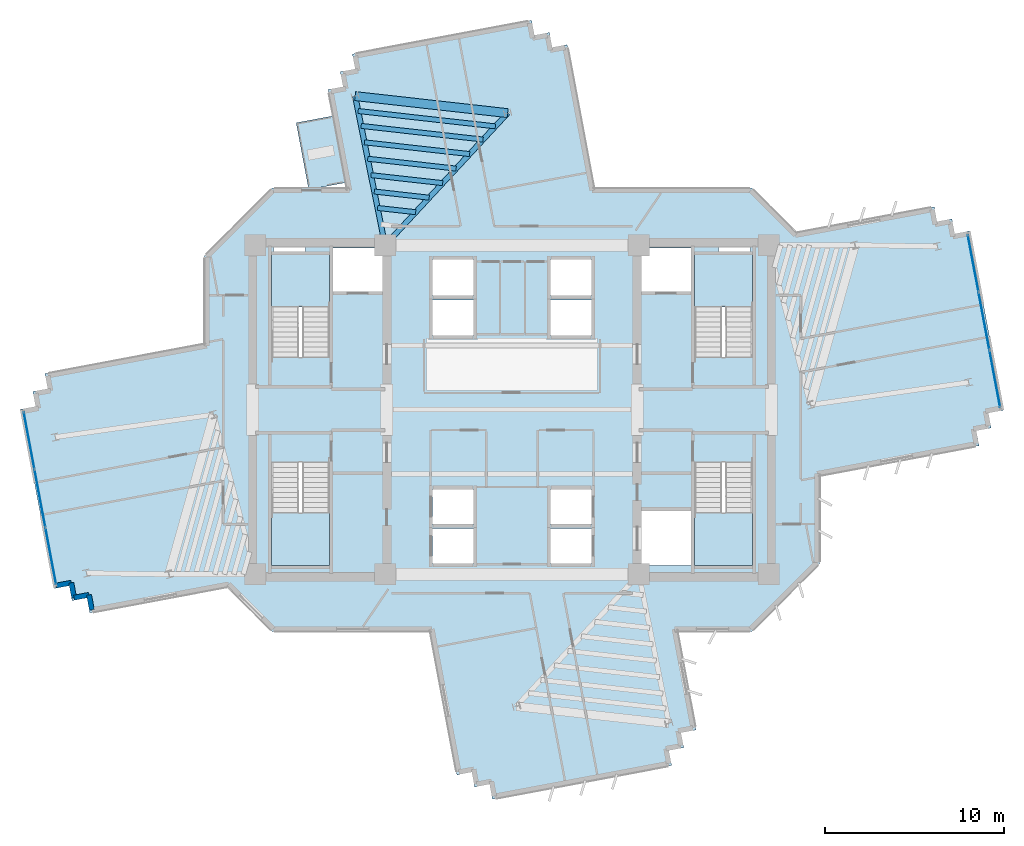
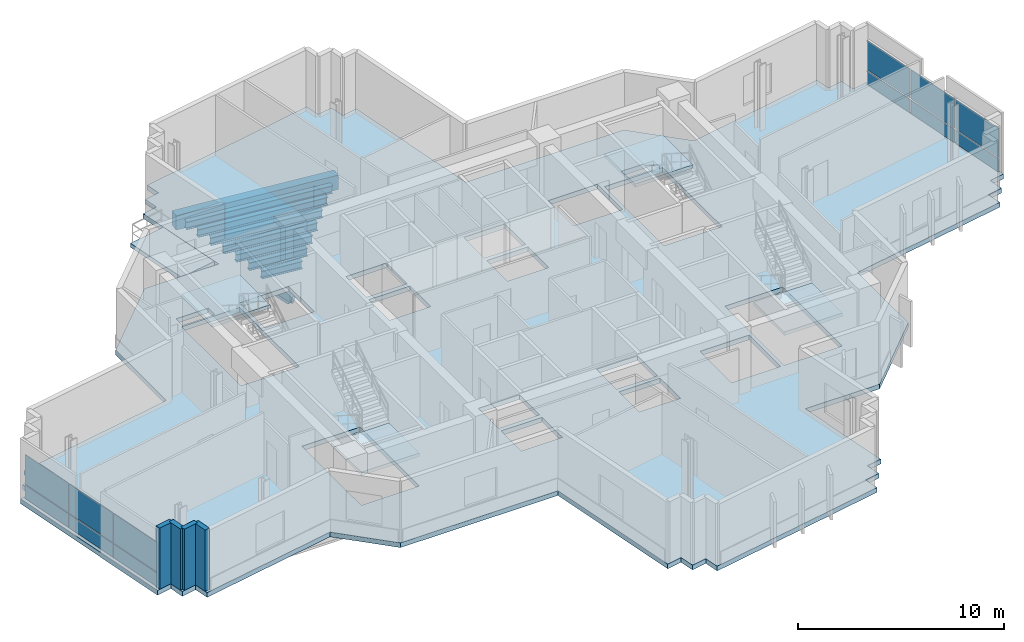
# One storey, part 7 of 16: 12 plates, 10 beams, 6 slabs, 4 walls, 6 elements without a shape of their own.
"""IFC4 building model written with IfcOpenShell, lengths in metres."""

import ifcopenshell
import ifcopenshell.guid

model = None  # the IFC model being written
_history = None  # IfcOwnerHistory: only IFC2X3 demands one
_inside = {}  # id of a spatial element -> (the spatial element, [elements in it])
_under = {}  # id of a project, library or spatial element -> (it, [spatial elements below it])
_declared = {}  # id of a project -> (the project, [libraries it declares])
_typed = {}  # id of a type object -> (the type object, [elements of that type])
_made_of = {}  # id of a material, layer set ... -> (it, [elements and type objects made of it])


def new_model(schema):
    """Start an empty IFC model of exactly this schema.

    Asked for "IFC4X3", IfcOpenShell would pick the latest addendum, in which some entities
    have other attributes; the version numbers below select the first issue.
    IFC2X3 requires an IfcOwnerHistory on every rooted entity: one is made here for all.
    """
    global model, _history
    if schema == "IFC4X3":
        model = ifcopenshell.file(schema_version=(4, 3, 0, 0))
    else:
        model = ifcopenshell.file(schema=schema)
    _inside.clear()
    _under.clear()
    _declared.clear()
    _typed.clear()
    _made_of.clear()
    _history = None
    if model.schema == "IFC2X3":
        org = make("IfcOrganization", Name="unknown")
        user = make(
            "IfcPersonAndOrganization",
            ThePerson=make("IfcPerson", FamilyName="unknown"),
            TheOrganization=org,
        )
        app = make(
            "IfcApplication",
            ApplicationDeveloper=org,
            Version="unknown",
            ApplicationFullName="unknown",
            ApplicationIdentifier="unknown",
        )
        _history = make(
            "IfcOwnerHistory",
            OwningUser=user,
            OwningApplication=app,
            ChangeAction="ADDED",
            CreationDate=0,
        )
    return model


def make(cls, **values):
    """One entity of the class cls with the attributes given. An attribute that is None is left unset."""
    return model.create_entity(
        cls, **{name: value for name, value in values.items() if value is not None}
    )


def rooted(cls, **values):
    """An entity with a GlobalId (a new one), such as an element, a storey or a relation."""
    return make(cls, GlobalId=ifcopenshell.guid.new(), OwnerHistory=_history, **values)


def si_unit(unit_type, name, prefix=None):
    """IfcSIUnit, for example si_unit("LENGTHUNIT", "METRE", prefix="MILLI")."""
    return make("IfcSIUnit", UnitType=unit_type, Prefix=prefix, Name=name)


def assignment(units):
    """IfcUnitAssignment: the units of a project."""
    return None if units is None else make("IfcUnitAssignment", Units=units)


def point(xyz):
    """IfcCartesianPoint."""
    return None if xyz is None else make("IfcCartesianPoint", Coordinates=xyz)


def direction(xyz):
    """IfcDirection."""
    return None if xyz is None else make("IfcDirection", DirectionRatios=xyz)


def frame(location, z_axis=None, x_axis=None):
    """IfcAxis2Placement3D, a coordinate frame: its origin and axes. An axis left out is left unset."""
    return make(
        "IfcAxis2Placement3D",
        Location=point(location),
        Axis=direction(z_axis),
        RefDirection=direction(x_axis),
    )


def frame_2d(location, x_axis=None):
    """IfcAxis2Placement2D, a coordinate frame in the plane: its origin and x axis."""
    return make(
        "IfcAxis2Placement2D", Location=point(location), RefDirection=direction(x_axis)
    )


def origin():
    """The frame at (0, 0, 0) with its axes left unset."""
    return frame((0.0, 0.0, 0.0))


def origin_2d():
    """The frame at (0, 0) in the plane with its x axis left unset."""
    return frame_2d((0.0, 0.0))


def place(relative_to, where):
    """IfcLocalPlacement: puts the frame where relative to a parent placement (None: the world)."""
    return make(
        "IfcLocalPlacement", PlacementRelTo=relative_to, RelativePlacement=where
    )


def context(
    kind, dimensions, precision=None, world=None, true_north=None, identifier=None
):
    """IfcGeometricRepresentationContext, for example the 3D "Model" context."""
    return make(
        "IfcGeometricRepresentationContext",
        ContextIdentifier=identifier,
        ContextType=kind,
        CoordinateSpaceDimension=dimensions,
        Precision=precision,
        WorldCoordinateSystem=world,
        TrueNorth=true_north,
    )


def subcontext(parent, identifier, kind, view, scale=None):
    """IfcGeometricRepresentationSubContext, for example "Body" below "Model"."""
    return make(
        "IfcGeometricRepresentationSubContext",
        ContextIdentifier=identifier,
        ContextType=kind,
        ParentContext=parent,
        TargetScale=scale,
        TargetView=view,
    )


def project(units=None, contexts=None):
    """IfcProject with its units and contexts."""
    return rooted(
        "IfcProject",
        Name="project",
        RepresentationContexts=contexts,
        UnitsInContext=assignment(units),
    )


def spatial(cls, under=None, at=None, **own):
    """A site, building, storey or space (cls), placed at a placement, below another one or the project."""
    s = rooted(cls, ObjectPlacement=at, **own)
    if under is not None:
        _under.setdefault(under.id(), (under, []))[1].append(s)
    return s


def polyline(points):
    """IfcPolyline through the points."""
    return make("IfcPolyline", Points=[point(p) for p in points])


def profile(cls, at=None, kind="AREA", **sizes):
    """A parametric profile (cls). Its sizes go by their IFC names, for example OverallWidth=200.0."""
    return make(cls, ProfileType=kind, Position=at, **sizes)


def rectangle(**sizes):
    """IfcRectangleProfileDef."""
    return profile("IfcRectangleProfileDef", **sizes)


def i_section(**sizes):
    """IfcIShapeProfileDef."""
    return profile("IfcIShapeProfileDef", **sizes)


def outline(outer, holes=None, kind="AREA"):
    """IfcArbitraryClosedProfileDef: a profile drawn as a closed curve; with holes, ...WithVoids."""
    if holes is None:
        return make("IfcArbitraryClosedProfileDef", ProfileType=kind, OuterCurve=outer)
    return make(
        "IfcArbitraryProfileDefWithVoids",
        ProfileType=kind,
        OuterCurve=outer,
        InnerCurves=holes,
    )


def extrude(swept, where, along, depth):
    """IfcExtrudedAreaSolid: the profile swept, set in the frame where, extruded along a direction by depth."""
    return make(
        "IfcExtrudedAreaSolid",
        SweptArea=swept,
        Position=where,
        ExtrudedDirection=direction(along),
        Depth=depth,
    )


def shape(context_of_items, identifier, shape_type, items):
    """IfcShapeRepresentation: the items that make up one representation, for example the "Body"."""
    return make(
        "IfcShapeRepresentation",
        ContextOfItems=context_of_items,
        RepresentationIdentifier=identifier,
        RepresentationType=shape_type,
        Items=items,
    )


def source(mapping_origin, context_of_items, identifier, shape_type, items):
    """IfcRepresentationMap: a shape defined once, which mapped items show again and again."""
    return make(
        "IfcRepresentationMap",
        MappingOrigin=mapping_origin,
        MappedRepresentation=shape(context_of_items, identifier, shape_type, items),
    )


def transform(
    local_origin,
    x_axis=None,
    y_axis=None,
    z_axis=None,
    scale=None,
    scale2=None,
    scale3=None,
    uniform=True,
):
    """IfcCartesianTransformationOperator3D, or its non-uniform kind. x_axis, y_axis, z_axis: its Axis1, 2, 3."""
    if uniform:
        return make(
            "IfcCartesianTransformationOperator3D",
            Axis1=direction(x_axis),
            Axis2=direction(y_axis),
            LocalOrigin=point(local_origin),
            Scale=scale,
            Axis3=direction(z_axis),
        )
    return make(
        "IfcCartesianTransformationOperator3DnonUniform",
        Axis1=direction(x_axis),
        Axis2=direction(y_axis),
        LocalOrigin=point(local_origin),
        Scale=scale,
        Axis3=direction(z_axis),
        Scale2=scale2,
        Scale3=scale3,
    )


def mapped(mapping_source, mapping_target):
    """IfcMappedItem: shows the shape of a source again, moved by a transform."""
    return make(
        "IfcMappedItem", MappingSource=mapping_source, MappingTarget=mapping_target
    )


def material(Name=None, Category=None):
    """IfcMaterial."""
    return make("IfcMaterial", Name=Name, Category=Category)


def layer(
    of_material, thickness, ventilated=None, Name=None, Category=None, Priority=None
):
    """IfcMaterialLayer: one layer of a wall or slab, of a material (None: an air gap)."""
    return make(
        "IfcMaterialLayer",
        Material=of_material,
        LayerThickness=thickness,
        IsVentilated=ventilated,
        Name=Name,
        Category=Category,
        Priority=Priority,
    )


def layer_set(layers, Name=None):
    """IfcMaterialLayerSet."""
    return make("IfcMaterialLayerSet", MaterialLayers=layers, LayerSetName=Name)


def material_profile(
    of_material, cross_section, Name=None, Category=None, Priority=None
):
    """IfcMaterialProfile: a cross section and its material."""
    return make(
        "IfcMaterialProfile",
        Name=Name,
        Material=of_material,
        Profile=cross_section,
        Priority=Priority,
        Category=Category,
    )


def profile_set(profiles, Name=None, composite=None):
    """IfcMaterialProfileSet."""
    return make(
        "IfcMaterialProfileSet",
        Name=Name,
        MaterialProfiles=profiles,
        CompositeProfile=composite,
    )


def made_of(thing, what):
    """Note that an element or type object is made of a material, layer set ...; save() writes the relation."""
    if what is not None:
        _made_of.setdefault(what.id(), (what, []))[1].append(thing)
    return thing


def type_object(cls, material=None, **own):
    """A type object (cls), such as IfcWallType, which elements share."""
    return made_of(rooted(cls, **own), material)


def element(
    cls,
    number,
    at=None,
    inside=None,
    cuts=None,
    type_object=None,
    material=None,
    context=None,
    identifier="Body",
    shape_type=None,
    held_by="IfcProductDefinitionShape",
    body=None,
    shapes=None,
    **own,
):
    """One element of the class cls, such as IfcWall. Its Tag is "e" and its number.

    at: its placement. inside: the storey or other place that contains it. cuts: it is an
    opening in that element (IfcRelVoidsElement). A single representation is given by context,
    identifier, shape_type and body (its items); several are given by shapes. held_by: the class
    of the entity that holds the representations. save() writes the other relations.
    """
    e = rooted(cls, Tag="e%d" % number, ObjectPlacement=at, **own)
    if body is not None:
        shapes = [shape(context, identifier, shape_type, body)]
    if shapes is not None:
        e.Representation = make(held_by, Representations=shapes)
    if inside is not None:
        _inside.setdefault(inside.id(), (inside, []))[1].append(e)
    if cuts is not None:
        rooted(
            "IfcRelVoidsElement", RelatingBuildingElement=cuts, RelatedOpeningElement=e
        )
    if type_object is not None:
        _typed.setdefault(type_object.id(), (type_object, []))[1].append(e)
    return made_of(e, material)


def aggregate(whole, parts):
    """IfcRelAggregates: a whole, such as a stair, and the parts it consists of."""
    return rooted("IfcRelAggregates", RelatingObject=whole, RelatedObjects=parts)


def save(model, path):
    """Write the relations noted so far, then the file.

    IfcRelAggregates (storeys below a building ...), IfcRelContainedInSpatialStructure (elements
    in a storey), IfcRelDefinesByType, IfcRelAssociatesMaterial and IfcRelDeclares: one each for
    every whole, place, type object, material and project.
    """
    for whole, parts in _under.values():
        aggregate(whole, parts)
    for where, things in _inside.values():
        rooted(
            "IfcRelContainedInSpatialStructure",
            RelatedElements=things,
            RelatingStructure=where,
        )
    for kind, things in _typed.values():
        rooted("IfcRelDefinesByType", RelatedObjects=things, RelatingType=kind)
    for what, things in _made_of.values():
        rooted("IfcRelAssociatesMaterial", RelatedObjects=things, RelatingMaterial=what)
    for by, libraries in _declared.values():
        rooted("IfcRelDeclares", RelatingContext=by, RelatedDefinitions=libraries)
    model.write(path)


model = new_model("IFC4")

# Units and contexts
model_context = context("Model", 3, precision=1e-05, world=origin(), true_north=direction((0.0, 1.0)))
body_context = subcontext(model_context, "Body", "Model", "MODEL_VIEW")
ifc_project = project(units=[si_unit("LENGTHUNIT", "METRE"), si_unit("AREAUNIT", "SQUARE_METRE"), si_unit("VOLUMEUNIT", "CUBIC_METRE"), si_unit("PLANEANGLEUNIT", "RADIAN"), si_unit("MASSUNIT", "GRAM", prefix="KILO")], contexts=[model_context])

# Site, building, storey
site_placement = place(None, origin())
site = spatial("IfcSite", under=ifc_project, at=site_placement, CompositionType="ELEMENT")
building_placement = place(site_placement, origin())
building = spatial("IfcBuilding", under=site, at=building_placement, Name="Zahravan Cultural Tower", CompositionType="ELEMENT")
storey_placement = place(building_placement, frame((0.0, 0.0, 147.300048828125)))
storey = spatial("IfcBuildingStorey", under=building, at=storey_placement, Name="L33", CompositionType="ELEMENT", Elevation=147.300048828125)

# Beams
ifc_material_1 = material(Name="Concrete C50/60", Category="concrete")
ifc_material_profile_1 = material_profile(ifc_material_1, rectangle(XDim=0.5, YDim=0.85009765625, at=origin_2d()), Name="RC500X850")
ifc_profile_set_1 = profile_set([ifc_material_profile_1], Name="Concrete C50/60")
beam_type_1 = type_object("IfcBeamType", Name="BM-SP-RC500X850", PredefinedType="SPANDREL", material=ifc_profile_set_1)
shared_shape_1 = source(origin(), body_context, "Body", "SweptSolid", [
    extrude(rectangle(XDim=0.5, YDim=0.85009765625, at=origin_2d()), origin(), (0.0, 0.0, 1.0), 8.579833984375),
])
beam_1_placement = place(storey_placement, frame((35.754638671875, 43.587646484375, -0.705078125), z_axis=(-0.9938040105, 0.11114669907, 0.0), x_axis=(-0.11114669907, -0.9938040105, 0.0)))
element("IfcBeam", 1, at=beam_1_placement, inside=storey, type_object=beam_type_1, Name="L33 Beam SP-L33-22", PredefinedType="SPANDREL", context=body_context, shape_type="MappedRepresentation", body=[
    mapped(shared_shape_1, transform((0.0, 0.0, 0.0), x_axis=(1.0, 0.0, 0.0), y_axis=(0.0, 1.0, 0.0), z_axis=(0.0, 0.0, 1.0), scale=1.0)),
])
ifc_material_2 = material(Name="Steel ASTM A992 Grade 50", Category="steel")
ifc_material_profile_2 = material_profile(ifc_material_2, i_section(OverallWidth=0.29296875, OverallDepth=0.845947265625, WebThickness=0.015380859375, FlangeThickness=0.0244140625, FilletRadius=0.02001953125, at=origin_2d()), Name="W33X141")
ifc_profile_set_2 = profile_set([ifc_material_profile_2], Name="Steel ASTM A992 Grade 50")
beam_type_2 = type_object("IfcBeamType", Name="BM-G-W33X141", PredefinedType="BEAM", material=ifc_profile_set_2)
shared_shape_2 = source(origin(), body_context, "Body", "SweptSolid", [
    extrude(i_section(OverallWidth=0.29296875, OverallDepth=0.845947265625, WebThickness=0.015380859375, FlangeThickness=0.0244140625, FilletRadius=0.02001953125, at=origin_2d()), origin(), (0.0, 0.0, 1.0), 10.077880859375),
])
beam_2_placement = place(storey_placement, frame((28.89990234375, 36.199951171875, -0.703125), z_axis=(0.680170435587, 0.733054007938, 0.0), x_axis=(-0.733054007938, 0.680170435587, 0.0)))
element("IfcBeam", 2, at=beam_2_placement, inside=storey, type_object=beam_type_2, Name="L33 Beam BG-L33-13", PredefinedType="BEAM", context=body_context, shape_type="MappedRepresentation", body=[
    mapped(shared_shape_2, transform((0.0, 0.0, 0.0), x_axis=(1.0, 0.0, 0.0), y_axis=(0.0, 1.0, 0.0), z_axis=(0.0, 0.0, 1.0), scale=1.0)),
])
shared_shape_3 = source(origin(), body_context, "Body", "SweptSolid", [
    extrude(i_section(OverallWidth=0.29296875, OverallDepth=0.845947265625, WebThickness=0.015380859375, FlangeThickness=0.0244140625, FilletRadius=0.02001953125, at=origin_2d()), origin(), (0.0, 0.0, 1.0), 8.50732421875),
])
beam_3_placement = place(storey_placement, frame((28.89990234375, 36.199951171875, -0.703125), z_axis=(-0.196524514012, 0.980498911469, 0.0), x_axis=(-0.980498911469, -0.196524514012, 0.0)))
element("IfcBeam", 3, at=beam_3_placement, inside=storey, type_object=beam_type_2, Name="L33 Beam BG-L33-14", PredefinedType="BEAM", context=body_context, shape_type="MappedRepresentation", body=[
    mapped(shared_shape_3, transform((0.0, 0.0, 0.0), x_axis=(1.0, 0.0, 0.0), y_axis=(0.0, 1.0, 0.0), z_axis=(0.0, 0.0, 1.0), scale=1.0)),
])
ifc_material_profile_3 = material_profile(ifc_material_2, i_section(OverallWidth=0.280029296875, OverallDepth=0.462890625, WebThickness=0.0107421875, FlangeThickness=0.017333984375, FilletRadius=0.012939453125, at=origin_2d()), Name="W18X76")
ifc_profile_set_3 = profile_set([ifc_material_profile_3], Name="Steel ASTM A992 Grade 50")
beam_type_3 = type_object("IfcBeamType", Name="BM-J-W18X76", PredefinedType="JOIST", material=ifc_profile_set_3)
shared_shape_4 = source(origin(), body_context, "Body", "SweptSolid", [
    extrude(i_section(OverallWidth=0.280029296875, OverallDepth=0.462890625, WebThickness=0.0107421875, FlangeThickness=0.017333984375, FilletRadius=0.012939453125, at=origin_2d()), origin(), (0.0, 0.0, 1.0), 2.144775390625),
])
beam_4_placement = place(storey_placement, frame((30.613525390625, 38.046875, -0.511474609375), z_axis=(-0.993797370806, 0.111206051, 0.0), x_axis=(-0.111206051, -0.993797370806, 0.0)))
element("IfcBeam", 4, at=beam_4_placement, inside=storey, type_object=beam_type_3, Name="L33 Beam BJ-L33-51", PredefinedType="JOIST", context=body_context, shape_type="MappedRepresentation", body=[
    mapped(shared_shape_4, transform((0.0, 0.0, 0.0), x_axis=(1.0, 0.0, 0.0), y_axis=(0.0, 1.0, 0.0), z_axis=(0.0, 0.0, 1.0), scale=1.0)),
])
shared_shape_5 = source(origin(), body_context, "Body", "SweptSolid", [
    extrude(i_section(OverallWidth=0.280029296875, OverallDepth=0.462890625, WebThickness=0.0107421875, FlangeThickness=0.017333984375, FilletRadius=0.012939453125, at=origin_2d()), origin(), (0.0, 0.0, 1.0), 3.088623046875),
])
beam_5_placement = place(storey_placement, frame((31.36767578125, 38.859619140625, -0.511474609375), z_axis=(-0.993805407368, 0.111134208443, 0.0), x_axis=(-0.111134208443, -0.993805407368, 0.0)))
element("IfcBeam", 5, at=beam_5_placement, inside=storey, type_object=beam_type_3, Name="L33 Beam BJ-L33-52", PredefinedType="JOIST", context=body_context, shape_type="MappedRepresentation", body=[
    mapped(shared_shape_5, transform((0.0, 0.0, 0.0), x_axis=(1.0, 0.0, 0.0), y_axis=(0.0, 1.0, 0.0), z_axis=(0.0, 0.0, 1.0), scale=1.0)),
])
shared_shape_6 = source(origin(), body_context, "Body", "SweptSolid", [
    extrude(i_section(OverallWidth=0.280029296875, OverallDepth=0.462890625, WebThickness=0.0107421875, FlangeThickness=0.017333984375, FilletRadius=0.012939453125, at=origin_2d()), origin(), (0.0, 0.0, 1.0), 4.0322265625),
])
beam_6_placement = place(storey_placement, frame((32.12158203125, 39.672119140625, -0.511474609375), z_axis=(-0.993802245601, 0.11116247855, 0.0), x_axis=(-0.11116247855, -0.993802245601, 0.0)))
element("IfcBeam", 6, at=beam_6_placement, inside=storey, type_object=beam_type_3, Name="L33 Beam BJ-L33-53", PredefinedType="JOIST", context=body_context, shape_type="MappedRepresentation", body=[
    mapped(shared_shape_6, transform((0.0, 0.0, 0.0), x_axis=(1.0, 0.0, 0.0), y_axis=(0.0, 1.0, 0.0), z_axis=(0.0, 0.0, 1.0), scale=1.0)),
])
shared_shape_7 = source(origin(), body_context, "Body", "SweptSolid", [
    extrude(i_section(OverallWidth=0.280029296875, OverallDepth=0.462890625, WebThickness=0.0107421875, FlangeThickness=0.017333984375, FilletRadius=0.012939453125, at=origin_2d()), origin(), (0.0, 0.0, 1.0), 4.97607421875),
])
beam_7_placement = place(storey_placement, frame((32.875732421875, 40.48486328125, -0.511474609375), z_axis=(-0.993806308517, 0.111126149723, 0.0), x_axis=(-0.111126149723, -0.993806308517, 0.0)))
element("IfcBeam", 7, at=beam_7_placement, inside=storey, type_object=beam_type_3, Name="L33 Beam BJ-L33-54", PredefinedType="JOIST", context=body_context, shape_type="MappedRepresentation", body=[
    mapped(shared_shape_7, transform((0.0, 0.0, 0.0), x_axis=(1.0, 0.0, 0.0), y_axis=(0.0, 1.0, 0.0), z_axis=(0.0, 0.0, 1.0), scale=1.0)),
])
shared_shape_8 = source(origin(), body_context, "Body", "SweptSolid", [
    extrude(i_section(OverallWidth=0.280029296875, OverallDepth=0.462890625, WebThickness=0.0107421875, FlangeThickness=0.017333984375, FilletRadius=0.012939453125, at=origin_2d()), origin(), (0.0, 0.0, 1.0), 5.919921875),
])
beam_8_placement = place(storey_placement, frame((33.629638671875, 41.29736328125, -0.511474609375), z_axis=(-0.993804520866, 0.111142135602, 0.0), x_axis=(-0.111142135602, -0.993804520866, 0.0)))
element("IfcBeam", 8, at=beam_8_placement, inside=storey, type_object=beam_type_3, Name="L33 Beam BJ-L33-55", PredefinedType="JOIST", context=body_context, shape_type="MappedRepresentation", body=[
    mapped(shared_shape_8, transform((0.0, 0.0, 0.0), x_axis=(1.0, 0.0, 0.0), y_axis=(0.0, 1.0, 0.0), z_axis=(0.0, 0.0, 1.0), scale=1.0)),
])
shared_shape_9 = source(origin(), body_context, "Body", "SweptSolid", [
    extrude(i_section(OverallWidth=0.280029296875, OverallDepth=0.462890625, WebThickness=0.0107421875, FlangeThickness=0.017333984375, FilletRadius=0.012939453125, at=origin_2d()), origin(), (0.0, 0.0, 1.0), 6.86376953125),
])
beam_9_placement = place(storey_placement, frame((34.3837890625, 42.110107421875, -0.511474609375), z_axis=(-0.993803224695, 0.111153725024, 0.0), x_axis=(-0.111153725024, -0.993803224695, 0.0)))
element("IfcBeam", 9, at=beam_9_placement, inside=storey, type_object=beam_type_3, Name="L33 Beam BJ-L33-56", PredefinedType="JOIST", context=body_context, shape_type="MappedRepresentation", body=[
    mapped(shared_shape_9, transform((0.0, 0.0, 0.0), x_axis=(1.0, 0.0, 0.0), y_axis=(0.0, 1.0, 0.0), z_axis=(0.0, 0.0, 1.0), scale=1.0)),
])
shared_shape_10 = source(origin(), body_context, "Body", "SweptSolid", [
    extrude(i_section(OverallWidth=0.280029296875, OverallDepth=0.462890625, WebThickness=0.0107421875, FlangeThickness=0.017333984375, FilletRadius=0.012939453125, at=origin_2d()), origin(), (0.0, 0.0, 1.0), 7.7216796875),
])
beam_10_placement = place(storey_placement, frame((35.069091796875, 42.848876953125, -0.511474609375), z_axis=(-0.993805212115, 0.11113595446, 0.0), x_axis=(-0.11113595446, -0.993805212115, 0.0)))
element("IfcBeam", 10, at=beam_10_placement, inside=storey, type_object=beam_type_3, Name="L33 Beam BJ-L33-57", PredefinedType="JOIST", context=body_context, shape_type="MappedRepresentation", body=[
    mapped(shared_shape_10, transform((0.0, 0.0, 0.0), x_axis=(1.0, 0.0, 0.0), y_axis=(0.0, 1.0, 0.0), z_axis=(0.0, 0.0, 1.0), scale=1.0)),
])

# Slab
ifc_material_3 = material(Name="Concrete C45/55", Category="concrete")
ifc_layer_1 = layer(ifc_material_3, 0.280029296875)
ifc_layer_set_1 = layer_set([ifc_layer_1], Name="Concrete C45/55")
slab_type_1 = type_object("IfcSlabType", Name="SL-LIB-280", PredefinedType="FLOOR", material=ifc_layer_set_1)
slab_1_placement = place(storey_placement, frame((0.0, 0.0, -0.280029296875)))
element("IfcSlab", 11, at=slab_1_placement, inside=storey, type_object=slab_type_1, Name="L33 Structural Floor Slab", PredefinedType="FLOOR", context=body_context, shape_type="SweptSolid", body=[
    extrude(outline(polyline([(51.89501953125, 36.905029296875), (49.39990234375, 39.39990234375), (40.58935546875, 39.39990234375), (39.082763671875, 47.42041015625), (38.247314453125, 47.26318359375), (38.09033203125, 48.0986328125), (37.2548828125, 47.94189453125), (37.097900390625, 48.777099609375), (27.073486328125, 46.893798828125), (27.230224609375, 46.05859375), (26.39501953125, 45.901611328125), (26.552001953125, 45.066162109375), (25.716552734375, 44.9091796875), (26.75146484375, 39.39990234375), (22.60009765625, 39.39990234375), (18.800048828125, 35.60009765625), (18.800048828125, 30.687744140625), (9.87939453125, 29.01171875), (10.036376953125, 28.176513671875), (9.200927734375, 28.019287109375), (9.35791015625, 27.18408203125), (8.522705078125, 27.027099609375), (10.406005859375, 17.00244140625), (11.2412109375, 17.159423828125), (11.398193359375, 16.323974609375), (12.233642578125, 16.48095703125), (12.390380859375, 15.6455078125), (20.10498046875, 17.094970703125), (22.60009765625, 14.60009765625), (31.41064453125, 14.60009765625), (32.917236328125, 6.57958984375), (33.752685546875, 6.73681640625), (33.90966796875, 5.9013671875), (34.7451171875, 6.05810546875), (34.902099609375, 5.222900390625), (44.926513671875, 7.106201171875), (44.769775390625, 7.94140625), (45.60498046875, 8.098388671875), (45.447998046875, 8.933837890625), (46.283447265625, 9.0908203125), (45.24853515625, 14.60009765625), (49.39990234375, 14.60009765625), (53.199951171875, 18.39990234375), (53.199951171875, 23.312255859375), (62.12060546875, 24.98828125), (61.963623046875, 25.823486328125), (62.799072265625, 25.980712890625), (62.64208984375, 26.81591796875), (63.477294921875, 26.972900390625), (61.593994140625, 36.99755859375), (60.7587890625, 36.840576171875), (60.601806640625, 37.676025390625), (59.766357421875, 37.51904296875), (59.609619140625, 38.3544921875), (51.89501953125, 36.905029296875)]), holes=[polyline([(22.550048828125, 29.949951171875), (22.550048828125, 35.699951171875), (25.800048828125, 35.699951171875), (25.800048828125, 29.949951171875), (22.550048828125, 29.949951171875)]), polyline([(22.550048828125, 18.300048828125), (22.550048828125, 24.050048828125), (25.800048828125, 24.050048828125), (25.800048828125, 18.300048828125), (22.550048828125, 18.300048828125)]), polyline([(46.199951171875, 29.949951171875), (46.199951171875, 35.699951171875), (49.449951171875, 35.699951171875), (49.449951171875, 29.949951171875), (46.199951171875, 29.949951171875)]), polyline([(46.199951171875, 18.300048828125), (46.199951171875, 24.050048828125), (49.449951171875, 24.050048828125), (49.449951171875, 18.300048828125), (46.199951171875, 18.300048828125)]), polyline([(26.0, 33.60009765625), (26.0, 36.050048828125), (28.75, 36.050048828125), (28.75, 33.60009765625), (26.0, 33.60009765625)]), polyline([(43.25, 33.60009765625), (43.25, 36.050048828125), (46.0, 36.050048828125), (46.0, 33.60009765625), (43.25, 33.60009765625)]), polyline([(43.25, 18.300048828125), (43.25, 21.35009765625), (46.0, 21.35009765625), (46.0, 18.300048828125), (43.25, 18.300048828125)]), polyline([(31.550048828125, 33.39990234375), (31.550048828125, 35.39990234375), (33.85009765625, 35.39990234375), (33.85009765625, 33.39990234375), (31.550048828125, 33.39990234375)]), polyline([(31.550048828125, 31.14990234375), (31.550048828125, 33.14990234375), (33.85009765625, 33.14990234375), (33.85009765625, 31.14990234375), (31.550048828125, 31.14990234375)]), polyline([(38.14990234375, 33.39990234375), (38.14990234375, 35.39990234375), (40.449951171875, 35.39990234375), (40.449951171875, 33.39990234375), (38.14990234375, 33.39990234375)]), polyline([(38.14990234375, 31.14990234375), (38.14990234375, 33.14990234375), (40.449951171875, 33.14990234375), (40.449951171875, 31.14990234375), (38.14990234375, 31.14990234375)]), polyline([(31.550048828125, 20.60009765625), (31.550048828125, 22.550048828125), (33.85009765625, 22.550048828125), (33.85009765625, 20.60009765625), (31.550048828125, 20.60009765625)]), polyline([(31.550048828125, 18.39990234375), (31.550048828125, 20.35009765625), (33.85009765625, 20.35009765625), (33.85009765625, 18.39990234375), (31.550048828125, 18.39990234375)]), polyline([(38.14990234375, 20.60009765625), (38.14990234375, 22.550048828125), (40.449951171875, 22.550048828125), (40.449951171875, 20.60009765625), (38.14990234375, 20.60009765625)]), polyline([(38.14990234375, 18.39990234375), (38.14990234375, 20.35009765625), (40.449951171875, 20.35009765625), (40.449951171875, 18.39990234375), (38.14990234375, 18.39990234375)]), polyline([(22.64990234375, 35.800048828125), (22.64990234375, 36.419921875), (24.449951171875, 36.419921875), (24.449951171875, 35.800048828125), (22.64990234375, 35.800048828125)]), polyline([(47.550048828125, 35.800048828125), (47.550048828125, 36.419921875), (49.35009765625, 36.419921875), (49.35009765625, 35.800048828125), (47.550048828125, 35.800048828125)])]), origin(), (0.0, 0.0, 1.0), 0.280029296875),
])

# Stair, slab
stair_type = type_object("IfcStairType", Name="STR-DL-1550-390", PredefinedType="HALF_TURN_STAIR", material=ifc_material_3)
stair_1_placement = place(storey_placement, origin())
stair_1 = element("IfcStair", 12, at=stair_1_placement, inside=storey, type_object=stair_type, Name="L33 West Core North Exit Stair ST-W1", PredefinedType="HALF_TURN_STAIR")
ifc_layer_2 = layer(ifc_material_3, 0.199951171875)
ifc_layer_set_2 = layer_set([ifc_layer_2], Name="Concrete C45/55")
slab_type_2 = type_object("IfcSlabType", Name="SL-STAIR-LND200", PredefinedType="LANDING", material=ifc_layer_set_2)
slab_2_placement = place(storey_placement, frame((0.0, 0.0, 1.75)))
slab_2 = element("IfcSlab", 13, at=slab_2_placement, type_object=slab_type_2, Name="ST-W1 landing 1", PredefinedType="LANDING", context=body_context, shape_type="SweptSolid", body=[
    extrude(outline(polyline([(25.800048828125, 32.75), (25.800048828125, 35.699951171875), (22.550048828125, 35.699951171875), (22.550048828125, 32.75), (25.800048828125, 32.75)])), origin(), (0.0, 0.0, 1.0), 0.199951171875),
])
aggregate(stair_1, [slab_2])

stair_2_placement = place(storey_placement, origin())
stair_2 = element("IfcStair", 14, at=stair_2_placement, inside=storey, type_object=stair_type, Name="L33 West Core South Exit Stair ST-W2", PredefinedType="HALF_TURN_STAIR")
slab_3_placement = place(storey_placement, frame((0.0, 0.0, 1.75)))
slab_3 = element("IfcSlab", 15, at=slab_3_placement, type_object=slab_type_2, Name="ST-W2 landing 1", PredefinedType="LANDING", context=body_context, shape_type="SweptSolid", body=[
    extrude(outline(polyline([(22.550048828125, 21.25), (22.550048828125, 18.300048828125), (25.800048828125, 18.300048828125), (25.800048828125, 21.25), (22.550048828125, 21.25)])), origin(), (0.0, 0.0, 1.0), 0.199951171875),
])
aggregate(stair_2, [slab_3])

stair_3_placement = place(storey_placement, origin())
stair_3 = element("IfcStair", 16, at=stair_3_placement, inside=storey, type_object=stair_type, Name="L33 East Core North Exit Stair ST-E1", PredefinedType="HALF_TURN_STAIR")
slab_4_placement = place(storey_placement, frame((0.0, 0.0, 1.75)))
slab_4 = element("IfcSlab", 17, at=slab_4_placement, type_object=slab_type_2, Name="ST-E1 landing 1", PredefinedType="LANDING", context=body_context, shape_type="SweptSolid", body=[
    extrude(outline(polyline([(49.449951171875, 32.75), (49.449951171875, 35.699951171875), (46.199951171875, 35.699951171875), (46.199951171875, 32.75), (49.449951171875, 32.75)])), origin(), (0.0, 0.0, 1.0), 0.199951171875),
])
aggregate(stair_3, [slab_4])

stair_4_placement = place(storey_placement, origin())
stair_4 = element("IfcStair", 18, at=stair_4_placement, inside=storey, type_object=stair_type, Name="L33 East Core South Exit Stair ST-E2", PredefinedType="HALF_TURN_STAIR")
slab_5_placement = place(storey_placement, frame((0.0, 0.0, 1.75)))
slab_5 = element("IfcSlab", 19, at=slab_5_placement, type_object=slab_type_2, Name="ST-E2 landing 1", PredefinedType="LANDING", context=body_context, shape_type="SweptSolid", body=[
    extrude(outline(polyline([(46.199951171875, 21.25), (46.199951171875, 18.300048828125), (49.449951171875, 18.300048828125), (49.449951171875, 21.25), (46.199951171875, 21.25)])), origin(), (0.0, 0.0, 1.0), 0.199951171875),
])
aggregate(stair_4, [slab_5])

# Slab
ifc_material_4 = material(Name="Concrete C40/50", Category="concrete")
ifc_layer_3 = layer(ifc_material_4, 0.239990234375)
ifc_layer_set_3 = layer_set([ifc_layer_3], Name="Concrete C40/50")
slab_type_3 = type_object("IfcSlabType", Name="SL-TERR-240", PredefinedType="FLOOR", material=ifc_layer_set_3)
slab_6_placement = place(storey_placement, frame((0.0, 0.0, -0.239990234375)))
element("IfcSlab", 20, at=slab_6_placement, inside=storey, type_object=slab_type_3, Name="L33 Planted Sculpture Terrace NW", PredefinedType="FLOOR", context=body_context, shape_type="SweptSolid", body=[
    extrude(outline(polyline([(23.929443359375, 43.047119140625), (24.61376953125, 39.405029296875), (25.123046875, 39.405029296875), (26.690185546875, 39.699462890625), (25.988525390625, 43.43408203125), (23.929443359375, 43.047119140625)])), origin(), (0.0, 0.0, 1.0), 0.239990234375),
])

# Curtain wall, plates
ifc_material_5 = material(Name="Anodised bronze-aluminium mullion", Category="aluminium")
ifc_layer_4 = layer(ifc_material_5, 0.179931640625)
ifc_layer_set_4 = layer_set([ifc_layer_4], Name="Anodised bronze-aluminium mullion")
curtain_wall_type_1 = type_object("IfcCurtainWallType", Name="CW-SYS-3", PredefinedType="USERDEFINED", material=ifc_layer_set_4)
curtain_wall_1_placement = place(storey_placement, origin())
curtain_wall_1 = element("IfcCurtainWall", 21, at=curtain_wall_1_placement, inside=storey, type_object=curtain_wall_type_1, Name="L33 Recessed Curtain Wall CW-3.1", ObjectType="RECESSED GLAZING", PredefinedType="USERDEFINED")
ifc_material_6 = material(Name="Low-E solar-control double glazing", Category="glass")
ifc_layer_5 = layer(ifc_material_6, 0.028076171875)
ifc_layer_set_5 = layer_set([ifc_layer_5], Name="Low-E solar-control double glazing")
plate_type_1 = type_object("IfcPlateType", Name="CWP-CW-3", PredefinedType="CURTAIN_PANEL", material=ifc_layer_set_5)
shared_shape_11 = source(origin(), body_context, "Body", "SweptSolid", [
    extrude(rectangle(XDim=3.20166015625, YDim=0.028076171875, at=origin_2d()), origin(), (0.0, 0.0, 1.0), 0.794921875),
])
plate_1_placement = place(storey_placement, frame((61.791015625, 35.19189453125, 0.070068359375), z_axis=(0.0, 0.0, 1.0), x_axis=(0.184637885835, -0.982806619389, 0.0)))
plate_1 = element("IfcPlate", 22, at=plate_1_placement, type_object=plate_type_1, Name="CW-3 panel 1.1", PredefinedType="CURTAIN_PANEL", context=body_context, shape_type="MappedRepresentation", body=[
    mapped(shared_shape_11, transform((0.0, 0.0, 0.0), x_axis=(1.0, 0.0, 0.0), y_axis=(0.0, 1.0, 0.0), z_axis=(0.0, 0.0, 1.0), scale=1.0)),
])
plate_2_placement = place(storey_placement, frame((63.005615234375, 28.726806640625, 0.070068359375), z_axis=(0.0, 0.0, 1.0), x_axis=(0.184637885835, -0.982806619389, 0.0)))
plate_2 = element("IfcPlate", 23, at=plate_2_placement, type_object=plate_type_1, Name="CW-3 panel 3.1", PredefinedType="CURTAIN_PANEL", context=body_context, shape_type="MappedRepresentation", body=[
    mapped(shared_shape_11, transform((0.0, 0.0, 0.0), x_axis=(1.0, 0.0, 0.0), y_axis=(0.0, 1.0, 0.0), z_axis=(0.0, 0.0, 1.0), scale=1.0)),
])
shared_shape_12 = source(origin(), body_context, "Body", "SweptSolid", [
    extrude(rectangle(XDim=3.20166015625, YDim=0.028076171875, at=origin_2d()), origin(), (0.0, 0.0, 1.0), 1.735107421875),
])
plate_3_placement = place(storey_placement, frame((61.791015625, 35.19189453125, 0.93505859375), z_axis=(0.0, 0.0, 1.0), x_axis=(0.184637885835, -0.982806619389, 0.0)))
plate_3 = element("IfcPlate", 24, at=plate_3_placement, type_object=plate_type_1, Name="CW-3 panel 1.2", PredefinedType="CURTAIN_PANEL", context=body_context, shape_type="MappedRepresentation", body=[
    mapped(shared_shape_12, transform((0.0, 0.0, 0.0), x_axis=(1.0, 0.0, 0.0), y_axis=(0.0, 1.0, 0.0), z_axis=(0.0, 0.0, 1.0), scale=1.0)),
])
plate_4_placement = place(storey_placement, frame((63.005615234375, 28.726806640625, 0.93505859375), z_axis=(0.0, 0.0, 1.0), x_axis=(0.184637885835, -0.982806619389, 0.0)))
plate_4 = element("IfcPlate", 25, at=plate_4_placement, type_object=plate_type_1, Name="CW-3 panel 3.2", PredefinedType="CURTAIN_PANEL", context=body_context, shape_type="MappedRepresentation", body=[
    mapped(shared_shape_12, transform((0.0, 0.0, 0.0), x_axis=(1.0, 0.0, 0.0), y_axis=(0.0, 1.0, 0.0), z_axis=(0.0, 0.0, 1.0), scale=1.0)),
])
shared_shape_13 = source(origin(), body_context, "Body", "SweptSolid", [
    extrude(rectangle(XDim=3.236572265625, YDim=0.028076171875, at=origin_2d()), origin(), (0.0, 0.0, 1.0), 0.794921875),
])
plate_5_placement = place(storey_placement, frame((62.398193359375, 31.95947265625, 0.070068359375), z_axis=(0.0, 0.0, 1.0), x_axis=(0.184637885835, -0.982806619389, 0.0)))
plate_5 = element("IfcPlate", 26, at=plate_5_placement, type_object=plate_type_1, Name="CW-3 panel 2.1", PredefinedType="CURTAIN_PANEL", context=body_context, shape_type="MappedRepresentation", body=[
    mapped(shared_shape_13, transform((0.0, 0.0, 0.0), x_axis=(1.0, 0.0, 0.0), y_axis=(0.0, 1.0, 0.0), z_axis=(0.0, 0.0, 1.0), scale=1.0)),
])
shared_shape_14 = source(origin(), body_context, "Body", "SweptSolid", [
    extrude(rectangle(XDim=3.236572265625, YDim=0.028076171875, at=origin_2d()), origin(), (0.0, 0.0, 1.0), 1.735107421875),
])
plate_6_placement = place(storey_placement, frame((62.398193359375, 31.95947265625, 0.93505859375), z_axis=(0.0, 0.0, 1.0), x_axis=(0.184637885835, -0.982806619389, 0.0)))
plate_6 = element("IfcPlate", 27, at=plate_6_placement, type_object=plate_type_1, Name="CW-3 panel 2.2", PredefinedType="CURTAIN_PANEL", context=body_context, shape_type="MappedRepresentation", body=[
    mapped(shared_shape_14, transform((0.0, 0.0, 0.0), x_axis=(1.0, 0.0, 0.0), y_axis=(0.0, 1.0, 0.0), z_axis=(0.0, 0.0, 1.0), scale=1.0)),
])
aggregate(curtain_wall_1, [plate_1, plate_3, plate_5, plate_6, plate_2, plate_4])

ifc_layer_6 = layer(ifc_material_5, 0.1650390625)
ifc_layer_set_6 = layer_set([ifc_layer_6], Name="Anodised bronze-aluminium mullion")
curtain_wall_type_2 = type_object("IfcCurtainWallType", Name="CW-SYS-4", PredefinedType="USERDEFINED", material=ifc_layer_set_6)
curtain_wall_2_placement = place(storey_placement, origin())
curtain_wall_2 = element("IfcCurtainWall", 28, at=curtain_wall_2_placement, inside=storey, type_object=curtain_wall_type_2, Name="L33 Recessed Curtain Wall CW-4.2", ObjectType="RECESSED GLAZING", PredefinedType="USERDEFINED")
ifc_layer_7 = layer(ifc_material_6, 0.02587890625)
ifc_layer_set_7 = layer_set([ifc_layer_7], Name="Low-E solar-control double glazing")
plate_type_2 = type_object("IfcPlateType", Name="CWP-CW-4", PredefinedType="CURTAIN_PANEL", material=ifc_layer_set_7)
shared_shape_15 = source(origin(), body_context, "Body", "SweptSolid", [
    extrude(rectangle(XDim=3.209228515625, YDim=0.02587890625, at=origin_2d()), origin(), (0.0, 0.0, 1.0), 0.802490234375),
])
plate_7_placement = place(storey_placement, frame((10.209228515625, 18.806884765625, 0.06494140625), z_axis=(0.0, 0.0, 1.0), x_axis=(-0.184637885835, 0.982806619389, 0.0)))
plate_7 = element("IfcPlate", 29, at=plate_7_placement, type_object=plate_type_2, Name="CW-4 panel 1.1", PredefinedType="CURTAIN_PANEL", context=body_context, shape_type="MappedRepresentation", body=[
    mapped(shared_shape_15, transform((0.0, 0.0, 0.0), x_axis=(1.0, 0.0, 0.0), y_axis=(0.0, 1.0, 0.0), z_axis=(0.0, 0.0, 1.0), scale=1.0)),
])
plate_8_placement = place(storey_placement, frame((8.994384765625, 25.2744140625, 0.06494140625), z_axis=(0.0, 0.0, 1.0), x_axis=(-0.184637885835, 0.982806619389, 0.0)))
plate_8 = element("IfcPlate", 30, at=plate_8_placement, type_object=plate_type_2, Name="CW-4 panel 3.1", PredefinedType="CURTAIN_PANEL", context=body_context, shape_type="MappedRepresentation", body=[
    mapped(shared_shape_15, transform((0.0, 0.0, 0.0), x_axis=(1.0, 0.0, 0.0), y_axis=(0.0, 1.0, 0.0), z_axis=(0.0, 0.0, 1.0), scale=1.0)),
])
shared_shape_16 = source(origin(), body_context, "Body", "SweptSolid", [
    extrude(rectangle(XDim=3.209228515625, YDim=0.02587890625, at=origin_2d()), origin(), (0.0, 0.0, 1.0), 1.742431640625),
])
plate_9_placement = place(storey_placement, frame((10.209228515625, 18.806884765625, 0.9326171875), z_axis=(0.0, 0.0, 1.0), x_axis=(-0.184637885835, 0.982806619389, 0.0)))
plate_9 = element("IfcPlate", 31, at=plate_9_placement, type_object=plate_type_2, Name="CW-4 panel 1.2", PredefinedType="CURTAIN_PANEL", context=body_context, shape_type="MappedRepresentation", body=[
    mapped(shared_shape_16, transform((0.0, 0.0, 0.0), x_axis=(1.0, 0.0, 0.0), y_axis=(0.0, 1.0, 0.0), z_axis=(0.0, 0.0, 1.0), scale=1.0)),
])
plate_10_placement = place(storey_placement, frame((8.994384765625, 25.2744140625, 0.9326171875), z_axis=(0.0, 0.0, 1.0), x_axis=(-0.184637885835, 0.982806619389, 0.0)))
plate_10 = element("IfcPlate", 32, at=plate_10_placement, type_object=plate_type_2, Name="CW-4 panel 3.2", PredefinedType="CURTAIN_PANEL", context=body_context, shape_type="MappedRepresentation", body=[
    mapped(shared_shape_16, transform((0.0, 0.0, 0.0), x_axis=(1.0, 0.0, 0.0), y_axis=(0.0, 1.0, 0.0), z_axis=(0.0, 0.0, 1.0), scale=1.0)),
])
shared_shape_17 = source(origin(), body_context, "Body", "SweptSolid", [
    extrude(rectangle(XDim=3.24169921875, YDim=0.02587890625, at=origin_2d()), origin(), (0.0, 0.0, 1.0), 0.802490234375),
])
plate_11_placement = place(storey_placement, frame((9.601806640625, 22.04052734375, 0.06494140625), z_axis=(0.0, 0.0, 1.0), x_axis=(-0.184637885835, 0.982806619389, 0.0)))
plate_11 = element("IfcPlate", 33, at=plate_11_placement, type_object=plate_type_2, Name="CW-4 panel 2.1", PredefinedType="CURTAIN_PANEL", context=body_context, shape_type="MappedRepresentation", body=[
    mapped(shared_shape_17, transform((0.0, 0.0, 0.0), x_axis=(1.0, 0.0, 0.0), y_axis=(0.0, 1.0, 0.0), z_axis=(0.0, 0.0, 1.0), scale=1.0)),
])
shared_shape_18 = source(origin(), body_context, "Body", "SweptSolid", [
    extrude(rectangle(XDim=3.24169921875, YDim=0.02587890625, at=origin_2d()), origin(), (0.0, 0.0, 1.0), 1.742431640625),
])
plate_12_placement = place(storey_placement, frame((9.601806640625, 22.04052734375, 0.9326171875), z_axis=(0.0, 0.0, 1.0), x_axis=(-0.184637885835, 0.982806619389, 0.0)))
plate_12 = element("IfcPlate", 34, at=plate_12_placement, type_object=plate_type_2, Name="CW-4 panel 2.2", PredefinedType="CURTAIN_PANEL", context=body_context, shape_type="MappedRepresentation", body=[
    mapped(shared_shape_18, transform((0.0, 0.0, 0.0), x_axis=(1.0, 0.0, 0.0), y_axis=(0.0, 1.0, 0.0), z_axis=(0.0, 0.0, 1.0), scale=1.0)),
])
aggregate(curtain_wall_2, [plate_7, plate_9, plate_11, plate_12, plate_8, plate_10])

# Walls
ifc_material_7 = material(Name="Precast concrete C40/50", Category="concrete")
ifc_layer_8 = layer(ifc_material_7, 0.280029296875)
ifc_layer_set_8 = layer_set([ifc_layer_8], Name="Precast concrete C40/50")
wall_type = type_object("IfcWallType", Name="EW-TC-280", PredefinedType="SOLIDWALL", material=ifc_layer_set_8)
shared_shape_19 = source(origin(), body_context, "Body", "SweptSolid", [
    extrude(rectangle(XDim=0.85009765625, YDim=0.280029296875, at=frame_2d((0.425048828125, 0.0))), origin(), (0.0, 0.0, 1.0), 3.619873046875),
])
for number, where, z_axis, x_axis, name in (
    (35, (12.502197265625, 15.80908203125, 0.0), (0.0, 0.0, 1.0), (-0.184670010318, 0.982800583684, 0.0), "L33 Exterior Masonry Frame Wall 28"),
    (36, (11.35302734375, 17.32275390625, 0.0), (0.0, 0.0, 1.0), (-0.982852672425, -0.184392582027, 0.0), "L33 Exterior Masonry Frame Wall 31"),
):
    element("IfcWall", number, at=place(storey_placement, frame(where, z_axis=z_axis, x_axis=x_axis)), inside=storey, type_object=wall_type, Name=name, PredefinedType="SOLIDWALL", context=body_context, shape_type="MappedRepresentation", body=[
        mapped(shared_shape_19, transform((0.0, 0.0, 0.0), x_axis=(1.0, 0.0, 0.0), y_axis=(0.0, 1.0, 0.0), z_axis=(0.0, 0.0, 1.0), scale=1.0)),
    ])
shared_shape_20 = source(origin(), body_context, "Body", "SweptSolid", [
    extrude(rectangle(XDim=0.849853515625, YDim=0.280029296875, at=frame_2d((0.4248046875, 0.0))), origin(), (0.0, 0.0, 1.0), 3.619873046875),
])
for number, where, z_axis, x_axis, name in (
    (37, (12.34521484375, 16.64453125, 0.0), (0.0, 0.0, 1.0), (-0.982790785128, -0.184722149909, 0.0), "L33 Exterior Masonry Frame Wall 29"),
    (38, (11.510009765625, 16.487548828125, 0.0), (0.0, 0.0, 1.0), (-0.184722149909, 0.982790785128, 0.0), "L33 Exterior Masonry Frame Wall 30"),
):
    element("IfcWall", number, at=place(storey_placement, frame(where, z_axis=z_axis, x_axis=x_axis)), inside=storey, type_object=wall_type, Name=name, PredefinedType="SOLIDWALL", context=body_context, shape_type="MappedRepresentation", body=[
        mapped(shared_shape_20, transform((0.0, 0.0, 0.0), x_axis=(1.0, 0.0, 0.0), y_axis=(0.0, 1.0, 0.0), z_axis=(0.0, 0.0, 1.0), scale=1.0)),
    ])

save(model, "model.ifc")
